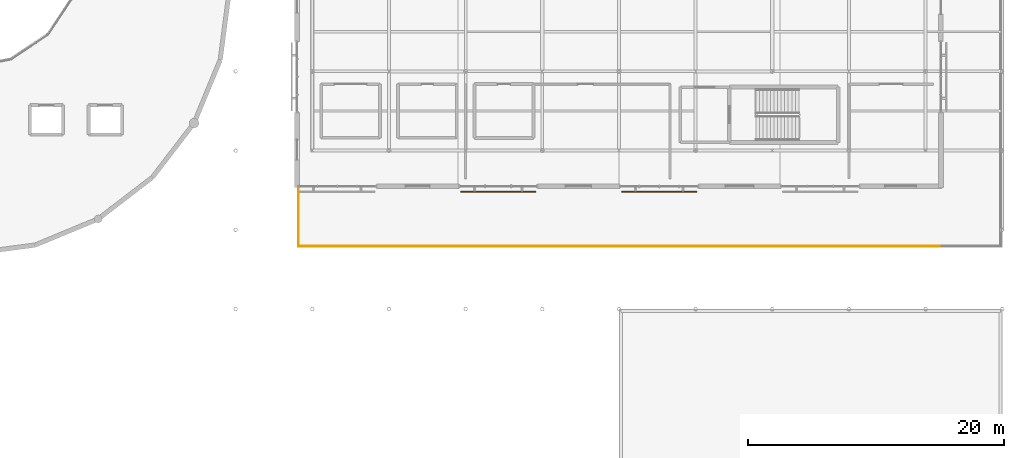
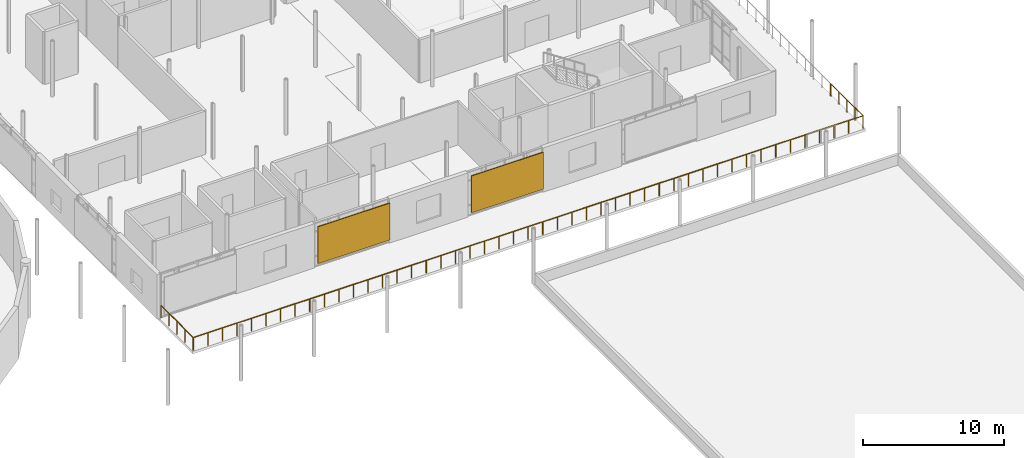
# One storey, part 59 of 66: 2 shading devices, 1 railing.
"""IFC4 building model written with IfcOpenShell, lengths in metres."""

import ifcopenshell
import ifcopenshell.guid

model = None  # the IFC model being written
_history = None  # IfcOwnerHistory: only IFC2X3 demands one
_inside = {}  # id of a spatial element -> (the spatial element, [elements in it])
_under = {}  # id of a project, library or spatial element -> (it, [spatial elements below it])
_declared = {}  # id of a project -> (the project, [libraries it declares])
_typed = {}  # id of a type object -> (the type object, [elements of that type])
_made_of = {}  # id of a material, layer set ... -> (it, [elements and type objects made of it])


def new_model(schema):
    """Start an empty IFC model of exactly this schema.

    Asked for "IFC4X3", IfcOpenShell would pick the latest addendum, in which some entities
    have other attributes; the version numbers below select the first issue.
    IFC2X3 requires an IfcOwnerHistory on every rooted entity: one is made here for all.
    """
    global model, _history
    if schema == "IFC4X3":
        model = ifcopenshell.file(schema_version=(4, 3, 0, 0))
    else:
        model = ifcopenshell.file(schema=schema)
    _inside.clear()
    _under.clear()
    _declared.clear()
    _typed.clear()
    _made_of.clear()
    _history = None
    if model.schema == "IFC2X3":
        org = make("IfcOrganization", Name="unknown")
        user = make(
            "IfcPersonAndOrganization",
            ThePerson=make("IfcPerson", FamilyName="unknown"),
            TheOrganization=org,
        )
        app = make(
            "IfcApplication",
            ApplicationDeveloper=org,
            Version="unknown",
            ApplicationFullName="unknown",
            ApplicationIdentifier="unknown",
        )
        _history = make(
            "IfcOwnerHistory",
            OwningUser=user,
            OwningApplication=app,
            ChangeAction="ADDED",
            CreationDate=0,
        )
    return model


def make(cls, **values):
    """One entity of the class cls with the attributes given. An attribute that is None is left unset."""
    return model.create_entity(
        cls, **{name: value for name, value in values.items() if value is not None}
    )


def rooted(cls, **values):
    """An entity with a GlobalId (a new one), such as an element, a storey or a relation."""
    return make(cls, GlobalId=ifcopenshell.guid.new(), OwnerHistory=_history, **values)


def si_unit(unit_type, name, prefix=None):
    """IfcSIUnit, for example si_unit("LENGTHUNIT", "METRE", prefix="MILLI")."""
    return make("IfcSIUnit", UnitType=unit_type, Prefix=prefix, Name=name)


def assignment(units):
    """IfcUnitAssignment: the units of a project."""
    return None if units is None else make("IfcUnitAssignment", Units=units)


def point(xyz):
    """IfcCartesianPoint."""
    return None if xyz is None else make("IfcCartesianPoint", Coordinates=xyz)


def direction(xyz):
    """IfcDirection."""
    return None if xyz is None else make("IfcDirection", DirectionRatios=xyz)


def frame(location, z_axis=None, x_axis=None):
    """IfcAxis2Placement3D, a coordinate frame: its origin and axes. An axis left out is left unset."""
    return make(
        "IfcAxis2Placement3D",
        Location=point(location),
        Axis=direction(z_axis),
        RefDirection=direction(x_axis),
    )


def frame_2d(location, x_axis=None):
    """IfcAxis2Placement2D, a coordinate frame in the plane: its origin and x axis."""
    return make(
        "IfcAxis2Placement2D", Location=point(location), RefDirection=direction(x_axis)
    )


def origin():
    """The frame at (0, 0, 0) with its axes left unset."""
    return frame((0.0, 0.0, 0.0))


def origin_2d():
    """The frame at (0, 0) in the plane with its x axis left unset."""
    return frame_2d((0.0, 0.0))


def place(relative_to, where):
    """IfcLocalPlacement: puts the frame where relative to a parent placement (None: the world)."""
    return make(
        "IfcLocalPlacement", PlacementRelTo=relative_to, RelativePlacement=where
    )


def context(
    kind, dimensions, precision=None, world=None, true_north=None, identifier=None
):
    """IfcGeometricRepresentationContext, for example the 3D "Model" context."""
    return make(
        "IfcGeometricRepresentationContext",
        ContextIdentifier=identifier,
        ContextType=kind,
        CoordinateSpaceDimension=dimensions,
        Precision=precision,
        WorldCoordinateSystem=world,
        TrueNorth=true_north,
    )


def subcontext(parent, identifier, kind, view, scale=None):
    """IfcGeometricRepresentationSubContext, for example "Body" below "Model"."""
    return make(
        "IfcGeometricRepresentationSubContext",
        ContextIdentifier=identifier,
        ContextType=kind,
        ParentContext=parent,
        TargetScale=scale,
        TargetView=view,
    )


def project(units=None, contexts=None):
    """IfcProject with its units and contexts."""
    return rooted(
        "IfcProject",
        Name="project",
        RepresentationContexts=contexts,
        UnitsInContext=assignment(units),
    )


def spatial(cls, under=None, at=None, **own):
    """A site, building, storey or space (cls), placed at a placement, below another one or the project."""
    s = rooted(cls, ObjectPlacement=at, **own)
    if under is not None:
        _under.setdefault(under.id(), (under, []))[1].append(s)
    return s


def profile(cls, at=None, kind="AREA", **sizes):
    """A parametric profile (cls). Its sizes go by their IFC names, for example OverallWidth=200.0."""
    return make(cls, ProfileType=kind, Position=at, **sizes)


def rectangle(**sizes):
    """IfcRectangleProfileDef."""
    return profile("IfcRectangleProfileDef", **sizes)


def circle(**sizes):
    """IfcCircleProfileDef."""
    return profile("IfcCircleProfileDef", **sizes)


def extrude(swept, where, along, depth):
    """IfcExtrudedAreaSolid: the profile swept, set in the frame where, extruded along a direction by depth."""
    return make(
        "IfcExtrudedAreaSolid",
        SweptArea=swept,
        Position=where,
        ExtrudedDirection=direction(along),
        Depth=depth,
    )


def shape(context_of_items, identifier, shape_type, items):
    """IfcShapeRepresentation: the items that make up one representation, for example the "Body"."""
    return make(
        "IfcShapeRepresentation",
        ContextOfItems=context_of_items,
        RepresentationIdentifier=identifier,
        RepresentationType=shape_type,
        Items=items,
    )


def material(Name=None, Category=None):
    """IfcMaterial."""
    return make("IfcMaterial", Name=Name, Category=Category)


def layer(
    of_material, thickness, ventilated=None, Name=None, Category=None, Priority=None
):
    """IfcMaterialLayer: one layer of a wall or slab, of a material (None: an air gap)."""
    return make(
        "IfcMaterialLayer",
        Material=of_material,
        LayerThickness=thickness,
        IsVentilated=ventilated,
        Name=Name,
        Category=Category,
        Priority=Priority,
    )


def layer_set(layers, Name=None):
    """IfcMaterialLayerSet."""
    return make("IfcMaterialLayerSet", MaterialLayers=layers, LayerSetName=Name)


def made_of(thing, what):
    """Note that an element or type object is made of a material, layer set ...; save() writes the relation."""
    if what is not None:
        _made_of.setdefault(what.id(), (what, []))[1].append(thing)
    return thing


def type_object(cls, material=None, **own):
    """A type object (cls), such as IfcWallType, which elements share."""
    return made_of(rooted(cls, **own), material)


def element(
    cls,
    number,
    at=None,
    inside=None,
    cuts=None,
    type_object=None,
    material=None,
    context=None,
    identifier="Body",
    shape_type=None,
    held_by="IfcProductDefinitionShape",
    body=None,
    shapes=None,
    **own,
):
    """One element of the class cls, such as IfcWall. Its Tag is "e" and its number.

    at: its placement. inside: the storey or other place that contains it. cuts: it is an
    opening in that element (IfcRelVoidsElement). A single representation is given by context,
    identifier, shape_type and body (its items); several are given by shapes. held_by: the class
    of the entity that holds the representations. save() writes the other relations.
    """
    e = rooted(cls, Tag="e%d" % number, ObjectPlacement=at, **own)
    if body is not None:
        shapes = [shape(context, identifier, shape_type, body)]
    if shapes is not None:
        e.Representation = make(held_by, Representations=shapes)
    if inside is not None:
        _inside.setdefault(inside.id(), (inside, []))[1].append(e)
    if cuts is not None:
        rooted(
            "IfcRelVoidsElement", RelatingBuildingElement=cuts, RelatedOpeningElement=e
        )
    if type_object is not None:
        _typed.setdefault(type_object.id(), (type_object, []))[1].append(e)
    return made_of(e, material)


def aggregate(whole, parts):
    """IfcRelAggregates: a whole, such as a stair, and the parts it consists of."""
    return rooted("IfcRelAggregates", RelatingObject=whole, RelatedObjects=parts)


def save(model, path):
    """Write the relations noted so far, then the file.

    IfcRelAggregates (storeys below a building ...), IfcRelContainedInSpatialStructure (elements
    in a storey), IfcRelDefinesByType, IfcRelAssociatesMaterial and IfcRelDeclares: one each for
    every whole, place, type object, material and project.
    """
    for whole, parts in _under.values():
        aggregate(whole, parts)
    for where, things in _inside.values():
        rooted(
            "IfcRelContainedInSpatialStructure",
            RelatedElements=things,
            RelatingStructure=where,
        )
    for kind, things in _typed.values():
        rooted("IfcRelDefinesByType", RelatedObjects=things, RelatingType=kind)
    for what, things in _made_of.values():
        rooted("IfcRelAssociatesMaterial", RelatedObjects=things, RelatingMaterial=what)
    for by, libraries in _declared.values():
        rooted("IfcRelDeclares", RelatingContext=by, RelatedDefinitions=libraries)
    model.write(path)


model = new_model("IFC4")

# Units and contexts
model_context = context("Model", 3, precision=1e-05, world=origin(), true_north=direction((0.0, 1.0)))
body_context = subcontext(model_context, "Body", "Model", "MODEL_VIEW")
ifc_project = project(units=[si_unit("LENGTHUNIT", "METRE"), si_unit("AREAUNIT", "SQUARE_METRE"), si_unit("VOLUMEUNIT", "CUBIC_METRE"), si_unit("PLANEANGLEUNIT", "RADIAN"), si_unit("MASSUNIT", "GRAM", prefix="KILO")], contexts=[model_context])

# Site, building, storey
site_placement = place(None, origin())
site = spatial("IfcSite", under=ifc_project, at=site_placement, CompositionType="ELEMENT")
building_placement = place(site_placement, origin())
building = spatial("IfcBuilding", under=site, at=building_placement, Name="Mirzam Square Science Centre", CompositionType="ELEMENT")
storey_placement = place(building_placement, frame((0.0, 0.0, 15.60009765625)))
storey = spatial("IfcBuildingStorey", under=building, at=storey_placement, Name="L03", CompositionType="ELEMENT", Elevation=15.60009765625)

# Railing
ifc_material_1 = material(Name="Bronze-Anodised Architectural Balustrade", Category="aluminium")
railing_type = type_object("IfcRailingType", Name="RL-TERR-GUARD-1100", PredefinedType="GUARDRAIL", material=ifc_material_1)
railing_placement = place(storey_placement, frame((106.919921875, 46.719970703125, 0.0)))
element("IfcRailing", 1, at=railing_placement, inside=storey, type_object=railing_type, Name="L03 south garden terrace guard", PredefinedType="GUARDRAIL", context=body_context, shape_type="SweptSolid", body=[
    extrude(circle(Radius=0.02392578125, at=origin_2d()), frame((0.0, 0.0, 1.09619140625), z_axis=(0.0, -1.0, 0.0), x_axis=(1.0, 0.0, 0.0)), (0.0, 0.0, 1.0), 4.599853515625),
    extrude(circle(Radius=0.02392578125, at=origin_2d()), frame((0.0, -4.599853515625, 1.09619140625), z_axis=(1.0, 0.0, 0.0), x_axis=(0.0, 1.0, 0.0)), (0.0, 0.0, 1.0), 54.9599609375),
    extrude(circle(Radius=0.02392578125, at=origin_2d()), frame((54.9599609375, -4.599853515625, 1.09619140625), z_axis=(0.0, 1.0, 0.0), x_axis=(-1.0, 0.0, 0.0)), (0.0, 0.0, 1.0), 4.599853515625),
    extrude(circle(Radius=0.02099609375, at=origin_2d()), origin(), (0.0, 0.0, 1.0), 1.072021484375),
    extrude(circle(Radius=0.02099609375, at=origin_2d()), frame((0.0, -1.14990234375, 0.0)), (0.0, 0.0, 1.0), 1.072021484375),
    extrude(circle(Radius=0.02099609375, at=origin_2d()), frame((0.0, -2.2998046875, 0.0)), (0.0, 0.0, 1.0), 1.072021484375),
    extrude(circle(Radius=0.02099609375, at=origin_2d()), frame((0.0, -3.449951171875, 0.0)), (0.0, 0.0, 1.0), 1.072021484375),
    extrude(circle(Radius=0.02099609375, at=origin_2d()), frame((0.0, -4.599853515625, 0.0)), (0.0, 0.0, 1.0), 1.072021484375),
    extrude(circle(Radius=0.02099609375, at=origin_2d()), frame((1.19482421875, -4.599853515625, 0.0)), (0.0, 0.0, 1.0), 1.072021484375),
    extrude(circle(Radius=0.02099609375, at=origin_2d()), frame((2.3896484375, -4.599853515625, 0.0)), (0.0, 0.0, 1.0), 1.072021484375),
    extrude(circle(Radius=0.02099609375, at=origin_2d()), frame((3.584228515625, -4.599853515625, 0.0)), (0.0, 0.0, 1.0), 1.072021484375),
    extrude(circle(Radius=0.02099609375, at=origin_2d()), frame((4.779052734375, -4.599853515625, 0.0)), (0.0, 0.0, 1.0), 1.072021484375),
    extrude(circle(Radius=0.02099609375, at=origin_2d()), frame((5.973876953125, -4.599853515625, 0.0)), (0.0, 0.0, 1.0), 1.072021484375),
    extrude(circle(Radius=0.02099609375, at=origin_2d()), frame((7.168701171875, -4.599853515625, 0.0)), (0.0, 0.0, 1.0), 1.072021484375),
    extrude(circle(Radius=0.02099609375, at=origin_2d()), frame((8.363525390625, -4.599853515625, 0.0)), (0.0, 0.0, 1.0), 1.072021484375),
    extrude(circle(Radius=0.02099609375, at=origin_2d()), frame((9.558349609375, -4.599853515625, 0.0)), (0.0, 0.0, 1.0), 1.072021484375),
    extrude(circle(Radius=0.02099609375, at=origin_2d()), frame((10.7529296875, -4.599853515625, 0.0)), (0.0, 0.0, 1.0), 1.072021484375),
    extrude(circle(Radius=0.02099609375, at=origin_2d()), frame((11.94775390625, -4.599853515625, 0.0)), (0.0, 0.0, 1.0), 1.072021484375),
    extrude(circle(Radius=0.02099609375, at=origin_2d()), frame((13.142578125, -4.599853515625, 0.0)), (0.0, 0.0, 1.0), 1.072021484375),
    extrude(circle(Radius=0.02099609375, at=origin_2d()), frame((14.33740234375, -4.599853515625, 0.0)), (0.0, 0.0, 1.0), 1.072021484375),
    extrude(circle(Radius=0.02099609375, at=origin_2d()), frame((15.5322265625, -4.599853515625, 0.0)), (0.0, 0.0, 1.0), 1.072021484375),
    extrude(circle(Radius=0.02099609375, at=origin_2d()), frame((16.72705078125, -4.599853515625, 0.0)), (0.0, 0.0, 1.0), 1.072021484375),
    extrude(circle(Radius=0.02099609375, at=origin_2d()), frame((17.921630859375, -4.599853515625, 0.0)), (0.0, 0.0, 1.0), 1.072021484375),
    extrude(circle(Radius=0.02099609375, at=origin_2d()), frame((19.116455078125, -4.599853515625, 0.0)), (0.0, 0.0, 1.0), 1.072021484375),
    extrude(circle(Radius=0.02099609375, at=origin_2d()), frame((20.311279296875, -4.599853515625, 0.0)), (0.0, 0.0, 1.0), 1.072021484375),
    extrude(circle(Radius=0.02099609375, at=origin_2d()), frame((21.506103515625, -4.599853515625, 0.0)), (0.0, 0.0, 1.0), 1.072021484375),
    extrude(circle(Radius=0.02099609375, at=origin_2d()), frame((22.700927734375, -4.599853515625, 0.0)), (0.0, 0.0, 1.0), 1.072021484375),
    extrude(circle(Radius=0.02099609375, at=origin_2d()), frame((23.895751953125, -4.599853515625, 0.0)), (0.0, 0.0, 1.0), 1.072021484375),
    extrude(circle(Radius=0.02099609375, at=origin_2d()), frame((25.09033203125, -4.599853515625, 0.0)), (0.0, 0.0, 1.0), 1.072021484375),
    extrude(circle(Radius=0.02099609375, at=origin_2d()), frame((26.28515625, -4.599853515625, 0.0)), (0.0, 0.0, 1.0), 1.072021484375),
    extrude(circle(Radius=0.02099609375, at=origin_2d()), frame((27.47998046875, -4.599853515625, 0.0)), (0.0, 0.0, 1.0), 1.072021484375),
    extrude(circle(Radius=0.02099609375, at=origin_2d()), frame((28.6748046875, -4.599853515625, 0.0)), (0.0, 0.0, 1.0), 1.072021484375),
    extrude(circle(Radius=0.02099609375, at=origin_2d()), frame((29.86962890625, -4.599853515625, 0.0)), (0.0, 0.0, 1.0), 1.072021484375),
    extrude(circle(Radius=0.02099609375, at=origin_2d()), frame((31.064208984375, -4.599853515625, 0.0)), (0.0, 0.0, 1.0), 1.072021484375),
    extrude(circle(Radius=0.02099609375, at=origin_2d()), frame((32.259033203125, -4.599853515625, 0.0)), (0.0, 0.0, 1.0), 1.072021484375),
    extrude(circle(Radius=0.02099609375, at=origin_2d()), frame((33.453857421875, -4.599853515625, 0.0)), (0.0, 0.0, 1.0), 1.072021484375),
    extrude(circle(Radius=0.02099609375, at=origin_2d()), frame((34.648681640625, -4.599853515625, 0.0)), (0.0, 0.0, 1.0), 1.072021484375),
    extrude(circle(Radius=0.02099609375, at=origin_2d()), frame((35.843505859375, -4.599853515625, 0.0)), (0.0, 0.0, 1.0), 1.072021484375),
    extrude(circle(Radius=0.02099609375, at=origin_2d()), frame((37.038330078125, -4.599853515625, 0.0)), (0.0, 0.0, 1.0), 1.072021484375),
    extrude(circle(Radius=0.02099609375, at=origin_2d()), frame((38.23291015625, -4.599853515625, 0.0)), (0.0, 0.0, 1.0), 1.072021484375),
    extrude(circle(Radius=0.02099609375, at=origin_2d()), frame((39.427734375, -4.599853515625, 0.0)), (0.0, 0.0, 1.0), 1.072021484375),
    extrude(circle(Radius=0.02099609375, at=origin_2d()), frame((40.62255859375, -4.599853515625, 0.0)), (0.0, 0.0, 1.0), 1.072021484375),
    extrude(circle(Radius=0.02099609375, at=origin_2d()), frame((41.8173828125, -4.599853515625, 0.0)), (0.0, 0.0, 1.0), 1.072021484375),
    extrude(circle(Radius=0.02099609375, at=origin_2d()), frame((43.01220703125, -4.599853515625, 0.0)), (0.0, 0.0, 1.0), 1.072021484375),
    extrude(circle(Radius=0.02099609375, at=origin_2d()), frame((44.20703125, -4.599853515625, 0.0)), (0.0, 0.0, 1.0), 1.072021484375),
    extrude(circle(Radius=0.02099609375, at=origin_2d()), frame((45.401611328125, -4.599853515625, 0.0)), (0.0, 0.0, 1.0), 1.072021484375),
    extrude(circle(Radius=0.02099609375, at=origin_2d()), frame((46.596435546875, -4.599853515625, 0.0)), (0.0, 0.0, 1.0), 1.072021484375),
    extrude(circle(Radius=0.02099609375, at=origin_2d()), frame((47.791259765625, -4.599853515625, 0.0)), (0.0, 0.0, 1.0), 1.072021484375),
    extrude(circle(Radius=0.02099609375, at=origin_2d()), frame((48.986083984375, -4.599853515625, 0.0)), (0.0, 0.0, 1.0), 1.072021484375),
    extrude(circle(Radius=0.02099609375, at=origin_2d()), frame((50.180908203125, -4.599853515625, 0.0)), (0.0, 0.0, 1.0), 1.072021484375),
    extrude(circle(Radius=0.02099609375, at=origin_2d()), frame((51.375732421875, -4.599853515625, 0.0)), (0.0, 0.0, 1.0), 1.072021484375),
    extrude(circle(Radius=0.02099609375, at=origin_2d()), frame((52.5703125, -4.599853515625, 0.0)), (0.0, 0.0, 1.0), 1.072021484375),
    extrude(circle(Radius=0.02099609375, at=origin_2d()), frame((53.76513671875, -4.599853515625, 0.0)), (0.0, 0.0, 1.0), 1.072021484375),
    extrude(circle(Radius=0.02099609375, at=origin_2d()), frame((54.9599609375, -4.599853515625, 0.0)), (0.0, 0.0, 1.0), 1.072021484375),
    extrude(circle(Radius=0.02099609375, at=origin_2d()), frame((54.9599609375, -3.449951171875, 0.0)), (0.0, 0.0, 1.0), 1.072021484375),
    extrude(circle(Radius=0.02099609375, at=origin_2d()), frame((54.9599609375, -2.2998046875, 0.0)), (0.0, 0.0, 1.0), 1.072021484375),
    extrude(circle(Radius=0.02099609375, at=origin_2d()), frame((54.9599609375, -1.14990234375, 0.0)), (0.0, 0.0, 1.0), 1.072021484375),
    extrude(circle(Radius=0.02099609375, at=origin_2d()), frame((54.9599609375, 0.0, 0.0)), (0.0, 0.0, 1.0), 1.072021484375),
])

# Shading devices
ifc_material_2 = material(Name="Perforated Bronze-Anodised Aluminium Brise-Soleil", Category="aluminium")
ifc_layer = layer(ifc_material_2, 0.080078125)
ifc_layer_set = layer_set([ifc_layer], Name="SHD-BRISE-BRONZE")
shading_device_type = type_object("IfcShadingDeviceType", Name="SHD-BRISE-BRONZE", PredefinedType="JALOUSIE", material=ifc_layer_set)
for number, where, z_axis, x_axis, name in (
    (2, (122.550048828125, 46.389892578125, 0.48974609375), (0.0, 0.0, 1.0), (1.0, 0.0, 0.0), "L03 bronze brise-soleil screen 114"),
    (3, (135.14990234375, 46.389892578125, 0.48974609375), (0.0, 0.0, 1.0), (1.0, 0.0, 0.0), "L03 bronze brise-soleil screen 115"),
):
    element("IfcShadingDevice", number, at=place(storey_placement, frame(where, z_axis=z_axis, x_axis=x_axis)), inside=storey, type_object=shading_device_type, Name=name, PredefinedType="JALOUSIE", context=body_context, shape_type="SweptSolid", body=[
        extrude(rectangle(XDim=5.889892578125, YDim=0.080078125, at=origin_2d()), origin(), (0.0, 0.0, 1.0), 3.199951171875),
    ])

save(model, "model.ifc")
